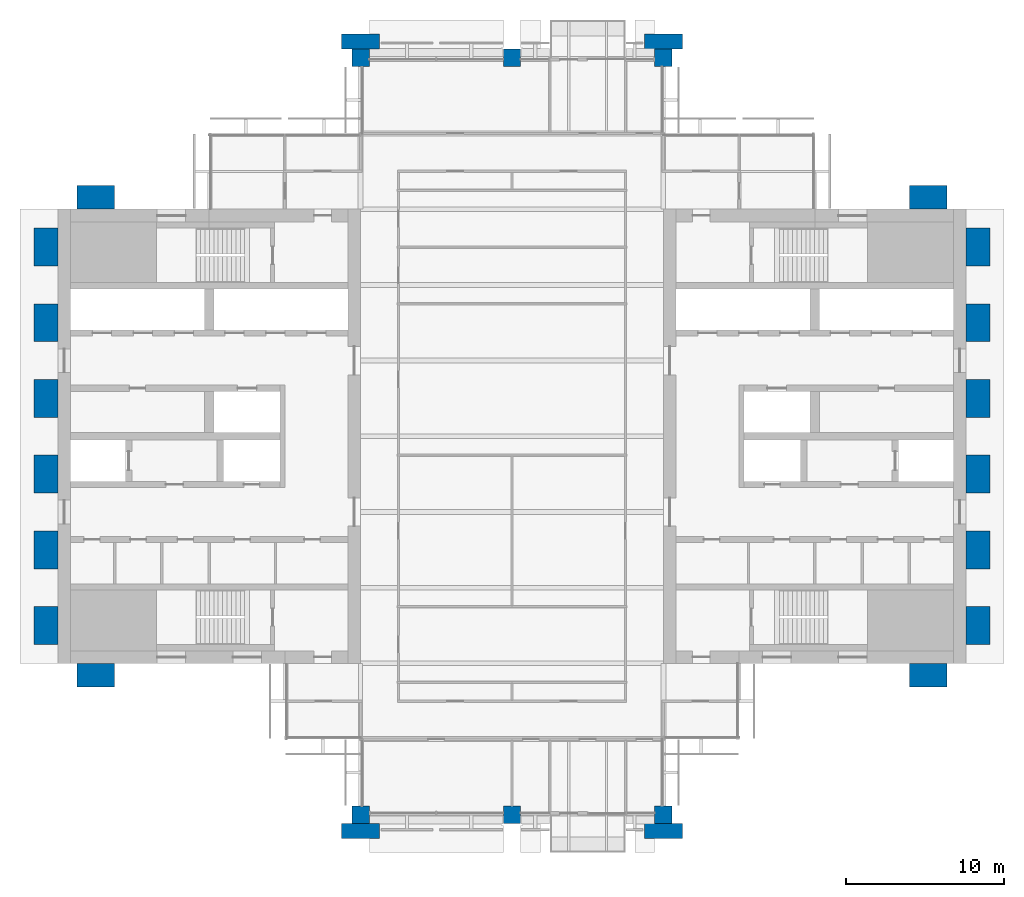
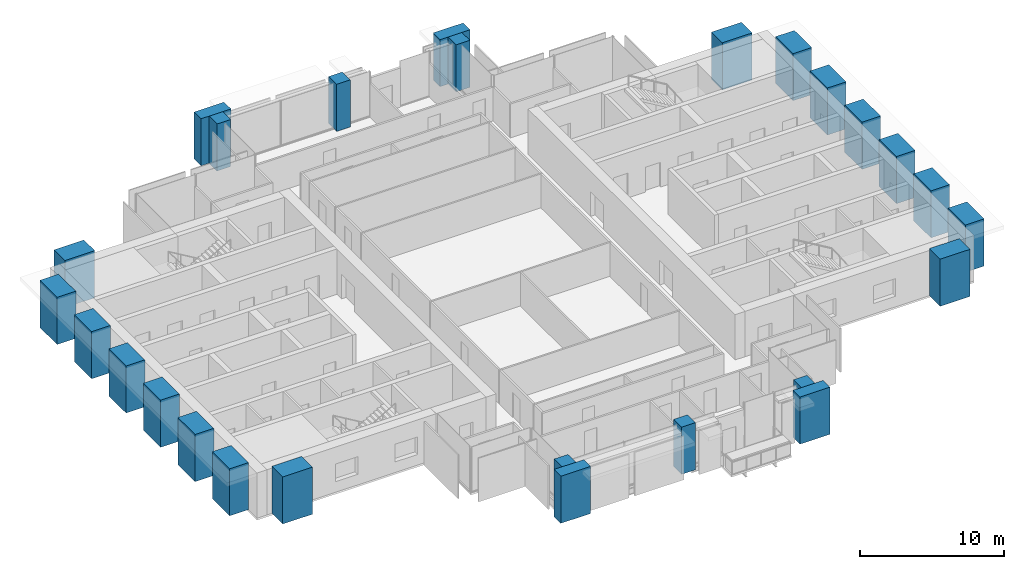
# One storey, part 1 of 14: 26 columns.
"""IFC4 building model written with IfcOpenShell, lengths in metres."""

from ifc_helpers import new_model, si_unit, direction, frame, origin, origin_2d, place, context, subcontext, project, spatial, rectangle, extrude, material, material_profile, profile_set, type_object, element, save


model = new_model("IFC4")

# Units and contexts
model_context = context("Model", 3, precision=1e-05, world=origin(), true_north=direction((0.0, 1.0)))
body_context = subcontext(model_context, "Body", "Model", "MODEL_VIEW")
ifc_project = project(units=[si_unit("LENGTHUNIT", "METRE"), si_unit("AREAUNIT", "SQUARE_METRE"), si_unit("VOLUMEUNIT", "CUBIC_METRE"), si_unit("PLANEANGLEUNIT", "RADIAN"), si_unit("MASSUNIT", "GRAM", prefix="KILO")], contexts=[model_context])

# Site, building, storey
site_placement = place(None, origin())
site = spatial("IfcSite", under=ifc_project, at=site_placement, CompositionType="ELEMENT")
building_placement = place(site_placement, origin())
building = spatial("IfcBuilding", under=site, at=building_placement, Name="Baori Bourse Tower", CompositionType="ELEMENT")
storey_placement = place(building_placement, frame((0.0, 0.0, 245.199951171875)))
storey = spatial("IfcBuildingStorey", under=building, at=storey_placement, Name="L54", CompositionType="ELEMENT", Elevation=245.199951171875)

# Columns
ifc_material_1 = material(Name="Concrete f'c 60 MPa", Category="concrete")
ifc_material_profile_1 = material_profile(ifc_material_1, rectangle(XDim=2.39990234375, YDim=0.949951171875, at=origin_2d()), Name="RC 2400x950")
ifc_profile_set_1 = profile_set([ifc_material_profile_1], Name="Concrete f'c 60 MPa")
column_type_1 = type_object("IfcColumnType", Name="FN3 Brick pilaster 2400x950", PredefinedType="PILASTER", material=ifc_profile_set_1)
for number, where, z_axis, x_axis, name in (
    (1, (19.199951171875, -1.02490234375, 0.0), (0.0, 0.0, 1.0), (1.0, 0.0, 0.0), "Brick pilaster L54 17"),
    (2, (38.39990234375, -1.02490234375, 0.0), (0.0, 0.0, 1.0), (1.0, 0.0, 0.0), "Brick pilaster L54 18"),
    (3, (19.199951171875, 49.02490234375, 0.0), (0.0, 0.0, 1.0), (1.0, 0.0, 0.0), "Brick pilaster L54 19"),
    (4, (38.39990234375, 49.02490234375, 0.0), (0.0, 0.0, 1.0), (1.0, 0.0, 0.0), "Brick pilaster L54 20"),
):
    element("IfcColumn", number, at=place(storey_placement, frame(where, z_axis=z_axis, x_axis=x_axis)), inside=storey, type_object=column_type_1, Name=name, PredefinedType="PILASTER", context=body_context, shape_type="SweptSolid", body=[
        extrude(rectangle(XDim=2.39990234375, YDim=0.949951171875, at=origin_2d()), origin(), (0.0, 0.0, 1.0), 4.0),
    ])
ifc_material_2 = material(Name="Concrete f'c 60 MPa", Category="concrete")
ifc_material_profile_2 = material_profile(ifc_material_2, rectangle(XDim=2.39990234375, YDim=1.5, at=origin_2d()), Name="RC 2400x1500")
ifc_profile_set_2 = profile_set([ifc_material_profile_2], Name="Concrete f'c 60 MPa")
column_type_2 = type_object("IfcColumnType", Name="FN4 Brick flank pilaster 2400x1500", PredefinedType="PILASTER", material=ifc_profile_set_2)
for number, where, z_axis, x_axis, name in (
    (5, (55.199951171875, 8.85009765625, 0.0), (0.0, 0.0, 1.0), (1.0, 0.0, 0.0), "Brick pilaster L54 1"),
    (6, (58.35009765625, 12.0, 0.0), (0.0, 0.0, 1.0), (0.0, 1.0, 0.0), "Brick pilaster L54 2"),
    (7, (58.35009765625, 16.800048828125, 0.0), (0.0, 0.0, 1.0), (0.0, 1.0, 0.0), "Brick pilaster L54 3"),
    (8, (58.35009765625, 21.60009765625, 0.0), (0.0, 0.0, 1.0), (0.0, 1.0, 0.0), "Brick pilaster L54 4"),
    (9, (58.35009765625, 26.39990234375, 0.0), (0.0, 0.0, 1.0), (0.0, 1.0, 0.0), "Brick pilaster L54 5"),
    (10, (58.35009765625, 31.199951171875, 0.0), (0.0, 0.0, 1.0), (0.0, 1.0, 0.0), "Brick pilaster L54 6"),
    (11, (58.35009765625, 36.0, 0.0), (0.0, 0.0, 1.0), (0.0, 1.0, 0.0), "Brick pilaster L54 7"),
    (12, (55.199951171875, 39.14990234375, 0.0), (0.0, 0.0, 1.0), (1.0, 0.0, 0.0), "Brick pilaster L54 8"),
    (13, (2.39990234375, 39.14990234375, 0.0), (0.0, 0.0, 1.0), (1.0, 0.0, 0.0), "Brick pilaster L54 9"),
    (14, (-0.75, 12.0, 0.0), (0.0, 0.0, 1.0), (0.0, 1.0, 0.0), "Brick pilaster L54 10"),
    (15, (-0.75, 16.800048828125, 0.0), (0.0, 0.0, 1.0), (0.0, 1.0, 0.0), "Brick pilaster L54 11"),
    (16, (-0.75, 21.60009765625, 0.0), (0.0, 0.0, 1.0), (0.0, 1.0, 0.0), "Brick pilaster L54 12"),
    (17, (-0.75, 26.39990234375, 0.0), (0.0, 0.0, 1.0), (0.0, 1.0, 0.0), "Brick pilaster L54 13"),
    (18, (-0.75, 31.199951171875, 0.0), (0.0, 0.0, 1.0), (0.0, 1.0, 0.0), "Brick pilaster L54 14"),
    (19, (-0.75, 36.0, 0.0), (0.0, 0.0, 1.0), (0.0, 1.0, 0.0), "Brick pilaster L54 15"),
    (20, (2.39990234375, 8.85009765625, 0.0), (0.0, 0.0, 1.0), (1.0, 0.0, 0.0), "Brick pilaster L54 16"),
):
    element("IfcColumn", number, at=place(storey_placement, frame(where, z_axis=z_axis, x_axis=x_axis)), inside=storey, type_object=column_type_2, Name=name, PredefinedType="PILASTER", context=body_context, shape_type="SweptSolid", body=[
        extrude(rectangle(XDim=2.39990234375, YDim=1.5, at=origin_2d()), origin(), (0.0, 0.0, 1.0), 4.0),
    ])
ifc_material_3 = material(Name="Concrete f'c 50 MPa", Category="concrete")
ifc_material_profile_3 = material_profile(ifc_material_3, rectangle(XDim=1.10009765625, YDim=1.10009765625, at=origin_2d()), Name="RC 1100x1100")
ifc_profile_set_3 = profile_set([ifc_material_profile_3], Name="Concrete f'c 50 MPa")
column_type_3 = type_object("IfcColumnType", Name="Perimeter column 50 RC 1100x1100", PredefinedType="COLUMN", material=ifc_profile_set_3)
for number, where, z_axis, x_axis, name in (
    (21, (19.199951171875, 0.0, 0.0), (0.0, 0.0, 1.0), (1.0, 0.0, 0.0), "Perimeter column L54"),
    (22, (28.800048828125, 0.0, 0.0), (0.0, 0.0, 1.0), (1.0, 0.0, 0.0), "Perimeter column L54"),
    (23, (38.39990234375, 0.0, 0.0), (0.0, 0.0, 1.0), (1.0, 0.0, 0.0), "Perimeter column L54"),
    (24, (19.199951171875, 48.0, 0.0), (0.0, 0.0, 1.0), (1.0, 0.0, 0.0), "Perimeter column L54"),
    (25, (28.800048828125, 48.0, 0.0), (0.0, 0.0, 1.0), (1.0, 0.0, 0.0), "Perimeter column L54"),
    (26, (38.39990234375, 48.0, 0.0), (0.0, 0.0, 1.0), (1.0, 0.0, 0.0), "Perimeter column L54"),
):
    element("IfcColumn", number, at=place(storey_placement, frame(where, z_axis=z_axis, x_axis=x_axis)), inside=storey, type_object=column_type_3, Name=name, PredefinedType="COLUMN", context=body_context, shape_type="SweptSolid", body=[
        extrude(rectangle(XDim=1.10009765625, YDim=1.10009765625, at=origin_2d()), origin(), (0.0, 0.0, 1.0), 4.0),
    ])

save(model, "model.ifc")
